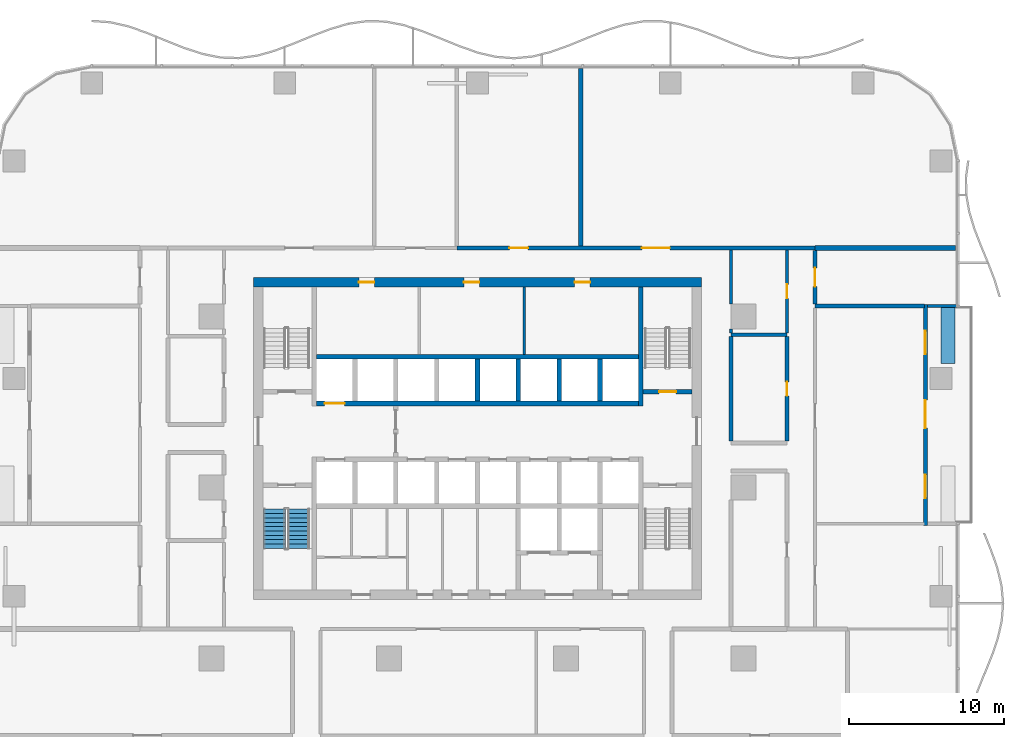
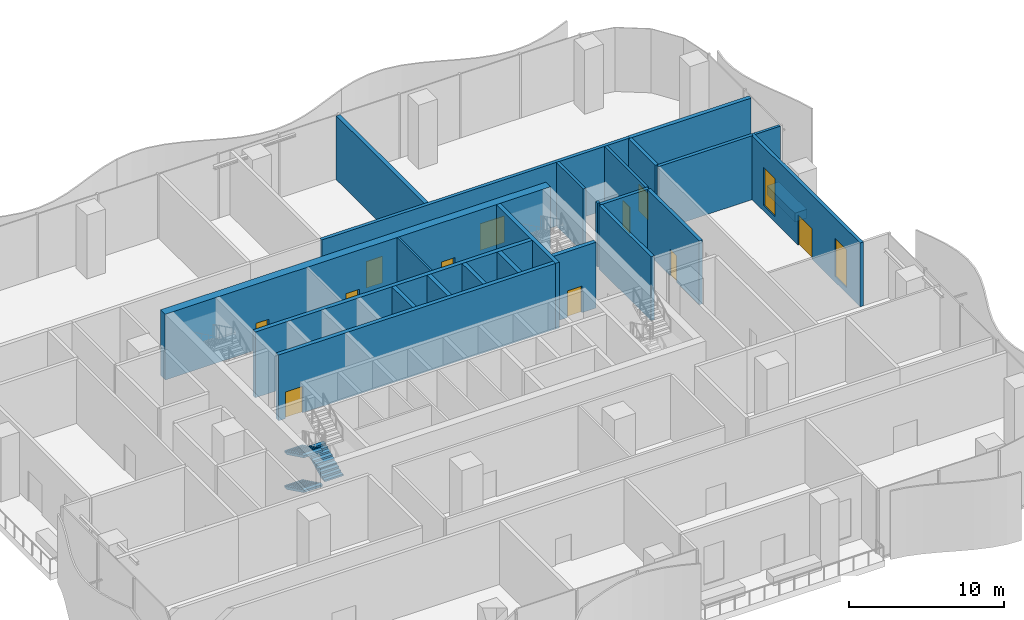
# One storey, part 11 of 20: 24 walls, 11 doors, 3 stair flights, 2 windows, 13 openings, 1 element without a shape of its own.
"""IFC4 building model written with IfcOpenShell, lengths in metres."""

from ifc_helpers import new_model, si_unit, direction, frame, frame_2d, origin, place, context, subcontext, project, spatial, polyline, rectangle, outline, extrude, material, layer, layer_set, type_object, element, fill, aggregate, save


model = new_model("IFC4")

# Units and contexts
model_context = context("Model", 3, precision=1e-05, world=origin(), true_north=direction((0.0, 1.0)))
body_context = subcontext(model_context, "Body", "Model", "MODEL_VIEW")
ifc_project = project(units=[si_unit("LENGTHUNIT", "METRE"), si_unit("AREAUNIT", "SQUARE_METRE"), si_unit("VOLUMEUNIT", "CUBIC_METRE"), si_unit("PLANEANGLEUNIT", "RADIAN"), si_unit("MASSUNIT", "GRAM", prefix="KILO")], contexts=[model_context])

# Site, building, storey
site_placement = place(None, origin())
site = spatial("IfcSite", under=ifc_project, at=site_placement, CompositionType="ELEMENT")
building_placement = place(site_placement, origin())
building = spatial("IfcBuilding", under=site, at=building_placement, Name="Mopane Tessera Tower", CompositionType="ELEMENT")
storey_placement = place(building_placement, frame((0.0, 0.0, 25.5)))
storey = spatial("IfcBuildingStorey", under=building, at=storey_placement, Name="L04", CompositionType="ELEMENT", Elevation=25.5)

# Wall
ifc_material_1 = material(Name="Fire-rated gypsum board partition")
ifc_layer_1 = layer(ifc_material_1, 0.14990234375)
ifc_layer_set_1 = layer_set([ifc_layer_1], Name="Fire-rated gypsum board partition")
wall_type_1 = type_object("IfcWallType", Name="Core room partition 150 mm", PredefinedType="PARTITIONING", material=ifc_layer_set_1)
wall_1_placement = place(storey_placement, frame((3.0, 8.550048828125, 0.0), z_axis=(0.0, 0.0, 1.0), x_axis=(0.0, 1.0, 0.0)))
element("IfcWall", 1, at=wall_1_placement, inside=storey, type_object=wall_type_1, Name="L04 Room partition", PredefinedType="PARTITIONING", context=body_context, shape_type="SweptSolid", body=[
    extrude(rectangle(XDim=4.349853515625, YDim=0.14990234375, at=frame_2d((2.1748046875, 0.0))), origin(), (0.0, 0.0, 1.0), 5.199951171875),
])

# Wall, openings, doors
ifc_material_2 = material(Name="Concrete C70/85", Category="concrete")
ifc_layer_2 = layer(ifc_material_2, 0.60009765625)
ifc_layer_set_2 = layer_set([ifc_layer_2], Name="Concrete C70/85")
wall_type_2 = type_object("IfcWallType", Name="Core shear wall 600 mm", PredefinedType="SHEAR", material=ifc_layer_set_2)
wall_2_placement = place(storey_placement, frame((-14.39990234375, 13.199951171875, 0.0), z_axis=(0.0, 0.0, 1.0), x_axis=(1.0, 0.0, 0.0)))
wall_2 = element("IfcWall", 2, at=wall_2_placement, inside=storey, type_object=wall_type_2, Name="L04 Core wall north", PredefinedType="SHEAR", context=body_context, shape_type="SweptSolid", body=[
    extrude(rectangle(XDim=28.7998046875, YDim=0.60009765625, at=frame_2d((14.39990234375, 0.0))), origin(), (0.0, 0.0, 1.0), 5.199951171875),
])
opening_1_placement = place(wall_2_placement, frame((6.77490234375, 0.0, 0.0)))
opening_1 = element("IfcOpeningElement", 3, at=opening_1_placement, cuts=wall_2, Name="Opening RD1", PredefinedType="OPENING", context=body_context, shape_type="SweptSolid", body=[
    extrude(rectangle(XDim=1.0, YDim=2.10009765625, at=frame_2d((0.5, 1.050048828125))), frame((0.0, 0.31201171875, 0.0), z_axis=(0.0, -1.0, 0.0), x_axis=(1.0, 0.0, 0.0)), (0.0, 0.0, 1.0), 0.6240234375),
])
opening_2_placement = place(wall_2_placement, frame((13.52490234375, 0.0, 0.0)))
opening_2 = element("IfcOpeningElement", 4, at=opening_2_placement, cuts=wall_2, Name="Opening RD1", PredefinedType="OPENING", context=body_context, shape_type="SweptSolid", body=[
    extrude(rectangle(XDim=1.0, YDim=2.10009765625, at=frame_2d((0.5, 1.050048828125))), frame((0.0, 0.31201171875, 0.0), z_axis=(0.0, -1.0, 0.0), x_axis=(1.0, 0.0, 0.0)), (0.0, 0.0, 1.0), 0.6240234375),
])
opening_3_placement = place(wall_2_placement, frame((20.64990234375, 0.0, 0.0)))
opening_3 = element("IfcOpeningElement", 5, at=opening_3_placement, cuts=wall_2, Name="Opening RD1", PredefinedType="OPENING", context=body_context, shape_type="SweptSolid", body=[
    extrude(rectangle(XDim=1.0, YDim=2.10009765625, at=frame_2d((0.5, 1.050048828125))), frame((0.0, 0.31201171875, 0.0), z_axis=(0.0, -1.0, 0.0), x_axis=(1.0, 0.0, 0.0)), (0.0, 0.0, 1.0), 0.6240234375),
])
ifc_material_3 = material(Name="Timber door", Category="wood")
door_type_1 = type_object("IfcDoorType", Name="Core room door 1000 x 2100", OperationType="SINGLE_SWING_LEFT", PredefinedType="DOOR", material=ifc_material_3)
door_1_placement = place(opening_1_placement, origin())
door_1 = element("IfcDoor", 6, at=door_1_placement, inside=storey, type_object=door_type_1, Name="L04 Room door", OperationType="SINGLE_SWING_LEFT", OverallHeight=2.10009765625, OverallWidth=1.0, PredefinedType="DOOR", context=body_context, shape_type="SweptSolid", body=[
    extrude(rectangle(XDim=1.0, YDim=2.10009765625, at=frame_2d((0.5, 1.050048828125))), frame((0.0, 0.02490234375, 0.0), z_axis=(0.0, -1.0, 0.0), x_axis=(1.0, 0.0, 0.0)), (0.0, 0.0, 1.0), 0.050048828125),
])
fill(opening_1, door_1)
door_2_placement = place(opening_2_placement, origin())
door_2 = element("IfcDoor", 7, at=door_2_placement, inside=storey, type_object=door_type_1, Name="L04 Room door", OperationType="SINGLE_SWING_LEFT", OverallHeight=2.10009765625, OverallWidth=1.0, PredefinedType="DOOR", context=body_context, shape_type="SweptSolid", body=[
    extrude(rectangle(XDim=1.0, YDim=2.10009765625, at=frame_2d((0.5, 1.050048828125))), frame((0.0, 0.02490234375, 0.0), z_axis=(0.0, -1.0, 0.0), x_axis=(1.0, 0.0, 0.0)), (0.0, 0.0, 1.0), 0.050048828125),
])
fill(opening_2, door_2)
door_3_placement = place(opening_3_placement, origin())
door_3 = element("IfcDoor", 8, at=door_3_placement, inside=storey, type_object=door_type_1, Name="L04 Room door", OperationType="SINGLE_SWING_LEFT", OverallHeight=2.10009765625, OverallWidth=1.0, PredefinedType="DOOR", context=body_context, shape_type="SweptSolid", body=[
    extrude(rectangle(XDim=1.0, YDim=2.10009765625, at=frame_2d((0.5, 1.050048828125))), frame((0.0, 0.02490234375, 0.0), z_axis=(0.0, -1.0, 0.0), x_axis=(1.0, 0.0, 0.0)), (0.0, 0.0, 1.0), 0.050048828125),
])
fill(opening_3, door_3)

# Walls
ifc_material_4 = material(Name="Concrete C60/75", Category="concrete")
ifc_layer_3 = layer(ifc_material_4, 0.300048828125)
ifc_layer_set_3 = layer_set([ifc_layer_3], Name="Concrete C60/75")
wall_type_3 = type_object("IfcWallType", Name="Core spine wall 300 mm", PredefinedType="SHEAR", material=ifc_layer_set_3)
wall_3_placement = place(storey_placement, frame((10.5, 5.25, 0.0), z_axis=(0.0, 0.0, 1.0), x_axis=(0.0, 1.0, 0.0)))
element("IfcWall", 9, at=wall_3_placement, inside=storey, type_object=wall_type_3, Name="L04 Core spine wall", PredefinedType="SHEAR", context=body_context, shape_type="SweptSolid", body=[
    extrude(rectangle(XDim=7.64990234375, YDim=0.300048828125, at=frame_2d((3.824951171875, 0.0))), origin(), (0.0, 0.0, 1.0), 5.199951171875),
])
ifc_material_5 = material(Name="Gypsum board on steel studs, two layers each face, mineral wool infill", Category="steel")
ifc_layer_4 = layer(ifc_material_5, 0.199951171875)
ifc_layer_set_4 = layer_set([ifc_layer_4], Name="Gypsum board on steel studs, two layers each face, mineral wool infill")
wall_type_4 = type_object("IfcWallType", Name="Gypsum board corridor wall 200, rated EI 60", PredefinedType="PARTITIONING", material=ifc_layer_set_4)
wall_4_placement = place(storey_placement, frame((16.300048828125, 9.93994140625, 0.0), z_axis=(0.0, 0.0, 1.0), x_axis=(0.0, 1.0, 0.0)))
element("IfcWall", 10, at=wall_4_placement, inside=storey, type_object=wall_type_4, Name="Partition L04:055", PredefinedType="PARTITIONING", context=body_context, shape_type="SweptSolid", body=[
    extrude(rectangle(XDim=0.260009765625, YDim=0.199951171875, at=frame_2d((0.1298828125, 0.0))), origin(), (0.0, 0.0, 1.0), 5.050048828125),
])
wall_5_placement = place(storey_placement, frame((16.300048828125, 11.800048828125, 0.0), z_axis=(0.0, 0.0, 1.0), x_axis=(0.0, 1.0, 0.0)))
element("IfcWall", 11, at=wall_5_placement, inside=storey, type_object=wall_type_4, Name="Partition L04:056", PredefinedType="PARTITIONING", context=body_context, shape_type="SweptSolid", body=[
    extrude(rectangle(XDim=3.474853515625, YDim=0.199951171875, at=frame_2d((1.7373046875, 0.0))), origin(), (0.0, 0.0, 1.0), 5.050048828125),
])

# Wall, opening, door
wall_6_placement = place(storey_placement, frame((19.89990234375, 9.93994140625, 0.0), z_axis=(0.0, 0.0, 1.0), x_axis=(0.0, 1.0, 0.0)))
wall_6 = element("IfcWall", 12, at=wall_6_placement, inside=storey, type_object=wall_type_4, Name="Partition L04:059", PredefinedType="PARTITIONING", context=body_context, shape_type="SweptSolid", body=[
    extrude(rectangle(XDim=5.3349609375, YDim=0.199951171875, at=frame_2d((2.66748046875, 0.0))), origin(), (0.0, 0.0, 1.0), 5.050048828125),
])
opening_4_placement = place(wall_6_placement, frame((2.217529296875, 0.0, 0.0)))
opening_4 = element("IfcOpeningElement", 13, at=opening_4_placement, cuts=wall_6, Name="Opening L04-26", PredefinedType="OPENING", context=body_context, shape_type="SweptSolid", body=[
    extrude(rectangle(XDim=0.89990234375, YDim=2.10009765625, at=frame_2d((0.449951171875, 1.050048828125))), frame((0.0, 0.112060546875, 0.0), z_axis=(0.0, -1.0, 0.0), x_axis=(1.0, 0.0, 0.0)), (0.0, 0.0, 1.0), 0.223876953125),
])
ifc_material_6 = material(Name="Timber veneered steel-framed fire door", Category="steel")
door_type_2 = type_object("IfcDoorType", Name="Fire door FD60 900 x 2100", OperationType="SINGLE_SWING_LEFT", PredefinedType="DOOR", material=ifc_material_6)
door_4_placement = place(opening_4_placement, origin())
door_4 = element("IfcDoor", 14, at=door_4_placement, inside=storey, type_object=door_type_2, Name="Door L04-26", ObjectType="D10A", OperationType="SINGLE_SWING_LEFT", OverallHeight=2.10009765625, OverallWidth=0.89990234375, PredefinedType="DOOR", context=body_context, shape_type="SweptSolid", body=[
    extrude(rectangle(XDim=0.89990234375, YDim=2.10009765625, at=frame_2d((0.449951171875, 1.050048828125))), frame((0.0, 0.02490234375, 0.0), z_axis=(0.0, -1.0, 0.0), x_axis=(1.0, 0.0, 0.0)), (0.0, 0.0, 1.0), 0.050048828125),
])
fill(opening_4, door_4)

ifc_material_7 = material(Name="Concrete C50/60", Category="concrete")
ifc_layer_5 = layer(ifc_material_7, 0.300048828125)
ifc_layer_set_5 = layer_set([ifc_layer_5], Name="Concrete C50/60")
wall_type_5 = type_object("IfcWallType", Name="Lift and stair shaft wall 300 mm", PredefinedType="SOLIDWALL", material=ifc_layer_set_5)
wall_7_placement = place(storey_placement, frame((10.64990234375, 6.14990234375, 0.0), z_axis=(0.0, 0.0, 1.0), x_axis=(1.0, 0.0, 0.0)))
wall_7 = element("IfcWall", 15, at=wall_7_placement, inside=storey, type_object=wall_type_5, Name="L04 Stair enclosure wall", PredefinedType="SOLIDWALL", context=body_context, shape_type="SweptSolid", body=[
    extrude(rectangle(XDim=3.150146484375, YDim=0.300048828125, at=frame_2d((1.5751953125, 0.0))), origin(), (0.0, 0.0, 1.0), 5.199951171875),
])
opening_5_placement = place(wall_7_placement, frame((1.02490234375, 0.0, 0.0)))
opening_5 = element("IfcOpeningElement", 16, at=opening_5_placement, cuts=wall_7, Name="Opening SD1", PredefinedType="OPENING", context=body_context, shape_type="SweptSolid", body=[
    extrude(rectangle(XDim=1.10009765625, YDim=2.10009765625, at=frame_2d((0.550048828125, 1.050048828125))), frame((0.0, 0.162109375, 0.0), z_axis=(0.0, -1.0, 0.0), x_axis=(1.0, 0.0, 0.0)), (0.0, 0.0, 1.0), 0.323974609375),
])
ifc_material_8 = material(Name="Steel fire door", Category="steel")
door_type_3 = type_object("IfcDoorType", Name="Stair fire door 1100 x 2100", OperationType="SINGLE_SWING_LEFT", PredefinedType="DOOR", material=ifc_material_8)
door_5_placement = place(opening_5_placement, origin())
door_5 = element("IfcDoor", 17, at=door_5_placement, inside=storey, type_object=door_type_3, Name="L04 Stair door ST4", OperationType="SINGLE_SWING_RIGHT", OverallHeight=2.10009765625, OverallWidth=1.10009765625, PredefinedType="DOOR", context=body_context, shape_type="SweptSolid", body=[
    extrude(rectangle(XDim=1.10009765625, YDim=2.10009765625, at=frame_2d((0.550048828125, 1.050048828125))), frame((0.0, 0.02490234375, 0.0), z_axis=(0.0, -1.0, 0.0), x_axis=(1.0, 0.0, 0.0)), (0.0, 0.0, 1.0), 0.050048828125),
])
fill(opening_5, door_5)

wall_8_placement = place(storey_placement, frame((-10.35009765625, 5.39990234375, 0.0), z_axis=(0.0, 0.0, 1.0), x_axis=(1.0, 0.0, 0.0)))
wall_8 = element("IfcWall", 18, at=wall_8_placement, inside=storey, type_object=wall_type_5, Name="L04 Lift shaft front wall", PredefinedType="SOLIDWALL", context=body_context, shape_type="SweptSolid", body=[
    extrude(rectangle(XDim=20.7001953125, YDim=0.300048828125, at=frame_2d((10.35009765625, 0.0))), origin(), (0.0, 0.0, 1.0), 5.199951171875),
])
opening_6_placement = place(wall_8_placement, frame((0.512451171875, 0.0, 0.0)))
opening_6 = element("IfcOpeningElement", 19, at=opening_6_placement, cuts=wall_8, Name="Opening LD2", PredefinedType="OPENING", context=body_context, shape_type="SweptSolid", body=[
    extrude(rectangle(XDim=1.300048828125, YDim=2.10009765625, at=frame_2d((0.64990234375, 1.050048828125))), frame((0.0, 0.162109375, 0.0), z_axis=(0.0, -1.0, 0.0), x_axis=(1.0, 0.0, 0.0)), (0.0, 0.0, 1.0), 0.323974609375),
])
ifc_material_9 = material(Name="Stainless steel sliding door", Category="steel")
door_type_4 = type_object("IfcDoorType", Name="Fire-fighting lift landing door 1300 x 2100", OperationType="DOUBLE_DOOR_SLIDING", PredefinedType="DOOR", material=ifc_material_9)
door_6_placement = place(opening_6_placement, origin())
door_6 = element("IfcDoor", 20, at=door_6_placement, inside=storey, type_object=door_type_4, Name="L04 Lift landing door FF2", OperationType="DOUBLE_DOOR_SLIDING", OverallHeight=2.10009765625, OverallWidth=1.300048828125, PredefinedType="DOOR", context=body_context, shape_type="SweptSolid", body=[
    extrude(rectangle(XDim=1.300048828125, YDim=2.10009765625, at=frame_2d((0.64990234375, 1.050048828125))), frame((0.0, 0.02490234375, 0.0), z_axis=(0.0, -1.0, 0.0), x_axis=(1.0, 0.0, 0.0)), (0.0, 0.0, 1.0), 0.050048828125),
])
fill(opening_6, door_6)

# Walls
wall_9_placement = place(storey_placement, frame((-10.35009765625, 8.39990234375, 0.0), z_axis=(0.0, 0.0, 1.0), x_axis=(1.0, 0.0, 0.0)))
element("IfcWall", 21, at=wall_9_placement, inside=storey, type_object=wall_type_5, Name="L04 Lift shaft rear wall", PredefinedType="SOLIDWALL", context=body_context, shape_type="SweptSolid", body=[
    extrude(rectangle(XDim=20.7001953125, YDim=0.300048828125, at=frame_2d((10.35009765625, 0.0))), origin(), (0.0, 0.0, 1.0), 5.199951171875),
])
for number, where, z_axis, x_axis, name in (
    (22, (0.0, 5.550048828125, 0.0), (0.0, 0.0, 1.0), (0.0, 1.0, 0.0), "L04 Lift shaft wall"),
    (23, (2.625, 5.550048828125, 0.0), (0.0, 0.0, 1.0), (0.0, 1.0, 0.0), "L04 Lift shaft wall"),
    (24, (5.25, 5.550048828125, 0.0), (0.0, 0.0, 1.0), (0.0, 1.0, 0.0), "L04 Lift shaft wall"),
    (25, (7.875, 5.550048828125, 0.0), (0.0, 0.0, 1.0), (0.0, 1.0, 0.0), "L04 Lift shaft wall"),
):
    element("IfcWall", number, at=place(storey_placement, frame(where, z_axis=z_axis, x_axis=x_axis)), inside=storey, type_object=wall_type_5, Name=name, PredefinedType="SOLIDWALL", context=body_context, shape_type="SweptSolid", body=[
        extrude(rectangle(XDim=2.699951171875, YDim=0.300048828125, at=frame_2d((1.35009765625, 0.0))), origin(), (0.0, 0.0, 1.0), 5.199951171875),
    ])
ifc_material_10 = material(Name="Reinforced concrete C32/40 with waterproofing", Category="concrete")
ifc_layer_6 = layer(ifc_material_10, 0.89990234375)
ifc_layer_set_6 = layer_set([ifc_layer_6], Name="Reinforced concrete C32/40 with waterproofing")
wall_type_6 = type_object("IfcWallType", Name="Planter trough 3600 x 900", PredefinedType="STANDARD", material=ifc_layer_set_6)
wall_10_placement = place(storey_placement, frame((30.25, 7.966552734375, 0.0), z_axis=(0.0, 0.0, 1.0), x_axis=(0.0, 1.0, 0.0)))
element("IfcWall", 26, at=wall_10_placement, inside=storey, type_object=wall_type_6, Name="e:nw:L04:N2:pl1", PredefinedType="STANDARD", context=body_context, shape_type="SweptSolid", body=[
    extrude(rectangle(XDim=3.60009765625, YDim=0.89990234375, at=frame_2d((1.800048828125, 0.0))), origin(), (0.0, 0.0, 1.0), 0.699951171875),
])
ifc_material_11 = material(Name="Plastered concrete blockwork C20/25", Category="masonry")
ifc_layer_7 = layer(ifc_material_11, 0.300048828125)
ifc_layer_set_7 = layer_set([ifc_layer_7], Name="Plastered concrete blockwork C20/25")
wall_type_7 = type_object("IfcWallType", Name="Plastered blockwork separation wall 300, rated EI 120", PredefinedType="PARTITIONING", material=ifc_layer_set_7)
wall_11_placement = place(storey_placement, frame((21.699951171875, 15.39990234375, 0.0), z_axis=(0.0, 0.0, 1.0), x_axis=(1.0, 0.0, 0.0)))
element("IfcWall", 27, at=wall_11_placement, inside=storey, type_object=wall_type_7, Name="Partition L04:030", PredefinedType="PARTITIONING", context=body_context, shape_type="SweptSolid", body=[
    extrude(rectangle(XDim=9.050048828125, YDim=0.300048828125, at=frame_2d((4.52490234375, 0.0))), origin(), (0.0, 0.0, 1.0), 5.050048828125),
])
wall_12_placement = place(storey_placement, frame((6.639892578125, 15.52490234375, 0.0), z_axis=(0.0, 0.0, 1.0), x_axis=(0.0, 1.0, 0.0)))
element("IfcWall", 28, at=wall_12_placement, inside=storey, type_object=wall_type_7, Name="Partition L04:051", PredefinedType="PARTITIONING", context=body_context, shape_type="SweptSolid", body=[
    extrude(rectangle(XDim=11.425048828125, YDim=0.300048828125, at=frame_2d((5.71240234375, 0.0))), origin(), (0.0, 0.0, 1.0), 5.050048828125),
])
ifc_material_12 = material(Name="Plastered concrete blockwork C20/25", Category="masonry")
ifc_layer_8 = layer(ifc_material_12, 0.25)
ifc_layer_set_8 = layer_set([ifc_layer_8], Name="Plastered concrete blockwork C20/25")
wall_type_8 = type_object("IfcWallType", Name="Plastered blockwork wall 250, rated EI 120", PredefinedType="PARTITIONING", material=ifc_layer_set_8)
wall_13_placement = place(storey_placement, frame((16.300048828125, 9.81494140625, 0.0), z_axis=(0.0, 0.0, 1.0), x_axis=(1.0, 0.0, 0.0)))
element("IfcWall", 29, at=wall_13_placement, inside=storey, type_object=wall_type_8, Name="Partition L04:022", PredefinedType="PARTITIONING", context=body_context, shape_type="SweptSolid", body=[
    extrude(rectangle(XDim=3.599853515625, YDim=0.25, at=frame_2d((1.7998046875, 0.0))), origin(), (0.0, 0.0, 1.0), 5.050048828125),
])
wall_14_placement = place(storey_placement, frame((21.699951171875, 11.6650390625, 0.0), z_axis=(0.0, 0.0, 1.0), x_axis=(1.0, 0.0, 0.0)))
element("IfcWall", 30, at=wall_14_placement, inside=storey, type_object=wall_type_8, Name="Partition L04:024", PredefinedType="PARTITIONING", context=body_context, shape_type="SweptSolid", body=[
    extrude(rectangle(XDim=7.050048828125, YDim=0.25, at=frame_2d((3.52490234375, 0.0))), origin(), (0.0, 0.0, 1.0), 5.050048828125),
])

# Wall, openings, doors
wall_15_placement = place(storey_placement, frame((-1.330078125, 15.39990234375, 0.0), z_axis=(0.0, 0.0, 1.0), x_axis=(1.0, 0.0, 0.0)))
wall_15 = element("IfcWall", 31, at=wall_15_placement, inside=storey, type_object=wall_type_8, Name="Partition L04:028", PredefinedType="PARTITIONING", context=body_context, shape_type="SweptSolid", body=[
    extrude(rectangle(XDim=23.030029296875, YDim=0.25, at=frame_2d((11.51513671875, 0.0))), origin(), (0.0, 0.0, 1.0), 5.050048828125),
])
opening_7_placement = place(wall_15_placement, frame((3.385009765625, 0.0, 0.0)))
opening_7 = element("IfcOpeningElement", 32, at=opening_7_placement, cuts=wall_15, Name="Opening L04-11", PredefinedType="OPENING", context=body_context, shape_type="SweptSolid", body=[
    extrude(rectangle(XDim=1.199951171875, YDim=2.10009765625, at=frame_2d((0.60009765625, 1.050048828125))), frame((0.0, 0.136962890625, 0.0), z_axis=(0.0, -1.0, 0.0), x_axis=(1.0, 0.0, 0.0)), (0.0, 0.0, 1.0), 0.27392578125),
])
opening_8_placement = place(wall_15_placement, frame((11.89990234375, 0.0, 0.0)))
opening_8 = element("IfcOpeningElement", 33, at=opening_8_placement, cuts=wall_15, Name="Opening L04-16", PredefinedType="OPENING", context=body_context, shape_type="SweptSolid", body=[
    extrude(rectangle(XDim=1.800048828125, YDim=2.10009765625, at=frame_2d((0.89990234375, 1.050048828125))), frame((0.0, 0.136962890625, 0.0), z_axis=(0.0, -1.0, 0.0), x_axis=(1.0, 0.0, 0.0)), (0.0, 0.0, 1.0), 0.27392578125),
])
ifc_material_13 = material(Name="Timber veneered steel-framed fire door", Category="steel")
door_type_5 = type_object("IfcDoorType", Name="Fire door FD120 1200 x 2100", OperationType="SINGLE_SWING_LEFT", PredefinedType="DOOR", material=ifc_material_13)
door_7_placement = place(opening_7_placement, origin())
door_7 = element("IfcDoor", 34, at=door_7_placement, inside=storey, type_object=door_type_5, Name="Door L04-11", ObjectType="D15B", OperationType="SINGLE_SWING_LEFT", OverallHeight=2.10009765625, OverallWidth=1.199951171875, PredefinedType="DOOR", context=body_context, shape_type="SweptSolid", body=[
    extrude(rectangle(XDim=1.199951171875, YDim=2.10009765625, at=frame_2d((0.60009765625, 1.050048828125))), frame((0.0, 0.02490234375, 0.0), z_axis=(0.0, -1.0, 0.0), x_axis=(1.0, 0.0, 0.0)), (0.0, 0.0, 1.0), 0.050048828125),
])
fill(opening_7, door_7)
ifc_material_14 = material(Name="Timber veneered steel-framed fire door", Category="steel")
door_type_6 = type_object("IfcDoorType", Name="Fire door pair FD120 1800 x 2100", OperationType="DOUBLE_DOOR_SINGLE_SWING", PredefinedType="DOOR", material=ifc_material_14)
door_8_placement = place(opening_8_placement, origin())
door_8 = element("IfcDoor", 35, at=door_8_placement, inside=storey, type_object=door_type_6, Name="Door L04-16", ObjectType="D20B", OperationType="DOUBLE_DOOR_SINGLE_SWING", OverallHeight=2.10009765625, OverallWidth=1.800048828125, PredefinedType="DOOR", context=body_context, shape_type="SweptSolid", body=[
    extrude(rectangle(XDim=1.800048828125, YDim=2.10009765625, at=frame_2d((0.89990234375, 1.050048828125))), frame((0.0, 0.02490234375, 0.0), z_axis=(0.0, -1.0, 0.0), x_axis=(1.0, 0.0, 0.0)), (0.0, 0.0, 1.0), 0.050048828125),
])
fill(opening_8, door_8)

# Wall
wall_16_placement = place(storey_placement, frame((16.300048828125, 2.97509765625, 0.0), z_axis=(0.0, 0.0, 1.0), x_axis=(0.0, 1.0, 0.0)))
element("IfcWall", 36, at=wall_16_placement, inside=storey, type_object=wall_type_8, Name="Partition L04:058", PredefinedType="PARTITIONING", context=body_context, shape_type="SweptSolid", body=[
    extrude(rectangle(XDim=6.71484375, YDim=0.25, at=frame_2d((3.357421875, 0.0))), origin(), (0.0, 0.0, 1.0), 5.050048828125),
])

# Wall, opening, door
wall_17_placement = place(storey_placement, frame((19.89990234375, 2.97509765625, 0.0), z_axis=(0.0, 0.0, 1.0), x_axis=(0.0, 1.0, 0.0)))
wall_17 = element("IfcWall", 37, at=wall_17_placement, inside=storey, type_object=wall_type_8, Name="Partition L04:061", PredefinedType="PARTITIONING", context=body_context, shape_type="SweptSolid", body=[
    extrude(rectangle(XDim=6.71484375, YDim=0.25, at=frame_2d((3.357421875, 0.0))), origin(), (0.0, 0.0, 1.0), 5.050048828125),
])
opening_9_placement = place(wall_17_placement, frame((2.907470703125, 0.0, 0.0)))
opening_9 = element("IfcOpeningElement", 38, at=opening_9_placement, cuts=wall_17, Name="Opening L04-02", PredefinedType="OPENING", context=body_context, shape_type="SweptSolid", body=[
    extrude(rectangle(XDim=0.89990234375, YDim=2.10009765625, at=frame_2d((0.449951171875, 1.050048828125))), frame((0.0, 0.136962890625, 0.0), z_axis=(0.0, -1.0, 0.0), x_axis=(1.0, 0.0, 0.0)), (0.0, 0.0, 1.0), 0.27392578125),
])
ifc_material_15 = material(Name="Timber veneered steel-framed fire door", Category="steel")
door_type_7 = type_object("IfcDoorType", Name="Fire door FD120 900 x 2100", OperationType="SINGLE_SWING_LEFT", PredefinedType="DOOR", material=ifc_material_15)
door_9_placement = place(opening_9_placement, origin())
door_9 = element("IfcDoor", 39, at=door_9_placement, inside=storey, type_object=door_type_7, Name="Door L04-02", ObjectType="D10B", OperationType="SINGLE_SWING_RIGHT", OverallHeight=2.10009765625, OverallWidth=0.89990234375, PredefinedType="DOOR", context=body_context, shape_type="SweptSolid", body=[
    extrude(rectangle(XDim=0.89990234375, YDim=2.10009765625, at=frame_2d((0.449951171875, 1.050048828125))), frame((0.0, 0.02490234375, 0.0), z_axis=(0.0, -1.0, 0.0), x_axis=(1.0, 0.0, 0.0)), (0.0, 0.0, 1.0), 0.050048828125),
])
fill(opening_9, door_9)

wall_18_placement = place(storey_placement, frame((21.699951171875, 11.7900390625, 0.0), z_axis=(0.0, 0.0, 1.0), x_axis=(0.0, 1.0, 0.0)))
wall_18 = element("IfcWall", 40, at=wall_18_placement, inside=storey, type_object=wall_type_8, Name="Partition L04:063", PredefinedType="PARTITIONING", context=body_context, shape_type="SweptSolid", body=[
    extrude(rectangle(XDim=3.4599609375, YDim=0.25, at=frame_2d((1.72998046875, 0.0))), origin(), (0.0, 0.0, 1.0), 5.050048828125),
])
opening_10_placement = place(wall_18_placement, frame((1.1298828125, 0.0, 0.0)))
opening_10 = element("IfcOpeningElement", 41, at=opening_10_placement, cuts=wall_18, Name="Opening L04-08", PredefinedType="OPENING", context=body_context, shape_type="SweptSolid", body=[
    extrude(rectangle(XDim=1.199951171875, YDim=2.10009765625, at=frame_2d((0.60009765625, 1.050048828125))), frame((0.0, 0.136962890625, 0.0), z_axis=(0.0, -1.0, 0.0), x_axis=(1.0, 0.0, 0.0)), (0.0, 0.0, 1.0), 0.27392578125),
])
door_10_placement = place(opening_10_placement, origin())
door_10 = element("IfcDoor", 42, at=door_10_placement, inside=storey, type_object=door_type_5, Name="Door L04-08", ObjectType="D15B", OperationType="SINGLE_SWING_LEFT", OverallHeight=2.10009765625, OverallWidth=1.199951171875, PredefinedType="DOOR", context=body_context, shape_type="SweptSolid", body=[
    extrude(rectangle(XDim=1.199951171875, YDim=2.10009765625, at=frame_2d((0.60009765625, 1.050048828125))), frame((0.0, 0.02490234375, 0.0), z_axis=(0.0, -1.0, 0.0), x_axis=(1.0, 0.0, 0.0)), (0.0, 0.0, 1.0), 0.050048828125),
])
fill(opening_10, door_10)

# Wall
ifc_material_16 = material(Name="Blockwork with glazed tile facing", Category="masonry")
ifc_layer_9 = layer(ifc_material_16, 0.199951171875)
ifc_layer_set_9 = layer_set([ifc_layer_9], Name="Blockwork with glazed tile facing")
wall_type_9 = type_object("IfcWallType", Name="Terrace cheek wall 200", PredefinedType="STANDARD", material=ifc_layer_set_9)
wall_19_placement = place(storey_placement, frame((30.800048828125, 11.666748046875, 0.0), z_axis=(0.0, 0.0, 1.0), x_axis=(-1.0, 0.0, 0.0)))
element("IfcWall", 43, at=wall_19_placement, inside=storey, type_object=wall_type_9, Name="e:nw:L04:N2:cheekb", PredefinedType="STANDARD", context=body_context, shape_type="SweptSolid", body=[
    extrude(rectangle(XDim=1.875, YDim=0.199951171875, at=frame_2d((0.9375, 0.0))), origin(), (0.0, 0.0, 1.0), 5.050048828125),
])

# Wall, openings, windows, door
ifc_material_17 = material(Name="Blockwork with turquoise glazed tile facing", Category="masonry")
ifc_layer_10 = layer(ifc_material_17, 0.25)
ifc_layer_set_10 = layer_set([ifc_layer_10], Name="Blockwork with turquoise glazed tile facing")
wall_type_10 = type_object("IfcWallType", Name="Tile-clad external wall 250, turquoise", PredefinedType="STANDARD", material=ifc_layer_set_10)
wall_20_placement = place(storey_placement, frame((28.800048828125, -2.433349609375, 0.0), z_axis=(0.0, 0.0, 1.0), x_axis=(0.0, 1.0, 0.0)))
wall_20 = element("IfcWall", 44, at=wall_20_placement, inside=storey, type_object=wall_type_10, Name="e:nw:L04:N2:back", PredefinedType="STANDARD", context=body_context, shape_type="SweptSolid", body=[
    extrude(rectangle(XDim=14.199951171875, YDim=0.25, at=frame_2d((7.10009765625, 0.0))), origin(), (0.0, 0.0, 1.0), 5.050048828125),
])
opening_11_placement = place(wall_20_placement, frame((1.75, 0.0, 0.449951171875)))
opening_11 = element("IfcOpeningElement", 45, at=opening_11_placement, cuts=wall_20, Name="Opening NW042A", PredefinedType="OPENING", context=body_context, shape_type="SweptSolid", body=[
    extrude(rectangle(XDim=1.5, YDim=3.0, at=frame_2d((0.75, 1.5))), frame((0.0, 0.136962890625, 0.0), z_axis=(0.0, -1.0, 0.0), x_axis=(1.0, 0.0, 0.0)), (0.0, 0.0, 1.0), 0.27392578125),
])
opening_12_placement = place(wall_20_placement, frame((6.25, 0.0, 0.0)))
opening_12 = element("IfcOpeningElement", 46, at=opening_12_placement, cuts=wall_20, Name="Opening ND042", PredefinedType="OPENING", context=body_context, shape_type="SweptSolid", body=[
    extrude(rectangle(XDim=1.800048828125, YDim=2.39990234375, at=frame_2d((0.89990234375, 1.199951171875))), frame((0.0, 0.136962890625, 0.0), z_axis=(0.0, -1.0, 0.0), x_axis=(1.0, 0.0, 0.0)), (0.0, 0.0, 1.0), 0.27392578125),
])
opening_13_placement = place(wall_20_placement, frame((11.0, 0.0, 0.449951171875)))
opening_13 = element("IfcOpeningElement", 47, at=opening_13_placement, cuts=wall_20, Name="Opening NW042B", PredefinedType="OPENING", context=body_context, shape_type="SweptSolid", body=[
    extrude(rectangle(XDim=1.5, YDim=3.0, at=frame_2d((0.75, 1.5))), frame((0.0, 0.136962890625, 0.0), z_axis=(0.0, -1.0, 0.0), x_axis=(1.0, 0.0, 0.0)), (0.0, 0.0, 1.0), 0.27392578125),
])
ifc_material_18 = material(Name="Clear laminated glass", Category="glass")
window_type = type_object("IfcWindowType", Name="Fixed window 1500 x 3000", PartitioningType="SINGLE_PANEL", PredefinedType="WINDOW", material=ifc_material_18)
window_1_placement = place(opening_11_placement, origin())
window_1 = element("IfcWindow", 48, at=window_1_placement, inside=storey, type_object=window_type, Name="e:nw:L04:N2:win0", OverallHeight=3.0, OverallWidth=1.5, PartitioningType="SINGLE_PANEL", PredefinedType="WINDOW", context=body_context, shape_type="SweptSolid", body=[
    extrude(rectangle(XDim=1.5, YDim=3.0, at=frame_2d((0.75, 1.5))), frame((0.0, 0.030029296875, 0.0), z_axis=(0.0, -1.0, 0.0), x_axis=(1.0, 0.0, 0.0)), (0.0, 0.0, 1.0), 0.06005859375),
])
fill(opening_11, window_1)
window_2_placement = place(opening_13_placement, origin())
window_2 = element("IfcWindow", 49, at=window_2_placement, inside=storey, type_object=window_type, Name="e:nw:L04:N2:win2", OverallHeight=3.0, OverallWidth=1.5, PartitioningType="SINGLE_PANEL", PredefinedType="WINDOW", context=body_context, shape_type="SweptSolid", body=[
    extrude(rectangle(XDim=1.5, YDim=3.0, at=frame_2d((0.75, 1.5))), frame((0.0, 0.030029296875, 0.0), z_axis=(0.0, -1.0, 0.0), x_axis=(1.0, 0.0, 0.0)), (0.0, 0.0, 1.0), 0.06005859375),
])
fill(opening_13, window_2)
ifc_material_19 = material(Name="Aluminium and clear glass", Category="aluminium")
door_type_8 = type_object("IfcDoorType", Name="Terrace double door 1800 x 2400", OperationType="DOUBLE_DOOR_SINGLE_SWING", PredefinedType="DOOR", material=ifc_material_19)
door_11_placement = place(opening_12_placement, origin())
door_11 = element("IfcDoor", 50, at=door_11_placement, inside=storey, type_object=door_type_8, Name="e:nw:L04:N2:door", ObjectType="D1", OperationType="DOUBLE_DOOR_SINGLE_SWING", OverallHeight=2.39990234375, OverallWidth=1.800048828125, PredefinedType="DOOR", context=body_context, shape_type="SweptSolid", body=[
    extrude(rectangle(XDim=1.800048828125, YDim=2.39990234375, at=frame_2d((0.89990234375, 1.199951171875))), frame((0.0, 0.02490234375, 0.0), z_axis=(0.0, -1.0, 0.0), x_axis=(1.0, 0.0, 0.0)), (0.0, 0.0, 1.0), 0.050048828125),
])
fill(opening_12, door_11)

# Stair, stair flights
ifc_material_20 = material(Name="Concrete C50/60", Category="concrete")
stair_type = type_object("IfcStairType", Name="Escape stair 1400 mm, riser 138 mm", PredefinedType="HALF_TURN_STAIR", material=ifc_material_20)
stair_placement = place(storey_placement, origin())
stair = element("IfcStair", 51, at=stair_placement, inside=storey, type_object=stair_type, Name="L04 Escape stair south-west", PredefinedType="HALF_TURN_STAIR")
ifc_material_21 = material(Name="Concrete C50/60", Category="concrete")
stair_flight_type = type_object("IfcStairFlightType", Name="Escape stair flight 1400 mm", PredefinedType="STRAIGHT", material=ifc_material_21)
stair_flight_1_placement = place(storey_placement, frame((-13.050048828125, -1.39990234375, 0.0), z_axis=(0.0, 0.0, 1.0), x_axis=(0.0, -1.0, 0.0)))
stair_flight_1 = element("IfcStairFlight", 52, at=stair_flight_1_placement, type_object=stair_flight_type, Name="ST1 flight 1", NumberOfRisers=10, NumberOfTreads=9, PredefinedType="STRAIGHT", RiserHeight=0.1375, TreadLength=0.28, context=body_context, shape_type="SweptSolid", body=[
    extrude(outline(polyline([(0.0, 0.0), (0.0, 0.137451171875), (0.280029296875, 0.137451171875), (0.280029296875, 0.27490234375), (0.56005859375, 0.27490234375), (0.56005859375, 0.41259765625), (0.840087890625, 0.41259765625), (0.840087890625, 0.550048828125), (1.1201171875, 0.550048828125), (1.1201171875, 0.6875), (1.39990234375, 0.6875), (1.39990234375, 0.824951171875), (1.679931640625, 0.824951171875), (1.679931640625, 0.96240234375), (1.9599609375, 0.96240234375), (1.9599609375, 1.10009765625), (2.239990234375, 1.10009765625), (2.239990234375, 1.237548828125), (2.52001953125, 1.237548828125), (2.52001953125, 1.375), (2.52001953125, 1.070556640625), (0.340087890625, 0.0), (0.0, 0.0)])), frame((0.0, 0.699951171875, 0.0), z_axis=(0.0, -1.0, 0.0), x_axis=(1.0, 0.0, 0.0)), (0.0, 0.0, 1.0), 1.39990234375),
])
stair_flight_2_placement = place(storey_placement, frame((-11.5, -3.919921875, 1.375), z_axis=(0.0, 0.0, 1.0), x_axis=(0.0, 1.0, 0.0)))
stair_flight_2 = element("IfcStairFlight", 53, at=stair_flight_2_placement, type_object=stair_flight_type, Name="ST1 flight 2", NumberOfRisers=10, NumberOfTreads=9, PredefinedType="STRAIGHT", RiserHeight=0.1375, TreadLength=0.28, context=body_context, shape_type="SweptSolid", body=[
    extrude(outline(polyline([(0.0, 0.0), (0.0, 0.137451171875), (0.280029296875, 0.137451171875), (0.280029296875, 0.27490234375), (0.56005859375, 0.27490234375), (0.56005859375, 0.41259765625), (0.840087890625, 0.41259765625), (0.840087890625, 0.550048828125), (1.1201171875, 0.550048828125), (1.1201171875, 0.6875), (1.39990234375, 0.6875), (1.39990234375, 0.824951171875), (1.679931640625, 0.824951171875), (1.679931640625, 0.96240234375), (1.9599609375, 0.96240234375), (1.9599609375, 1.10009765625), (2.239990234375, 1.10009765625), (2.239990234375, 1.237548828125), (2.52001953125, 1.237548828125), (2.52001953125, 1.375), (2.52001953125, 1.070556640625), (0.340087890625, 0.0), (0.0, 0.0)])), frame((0.0, 0.699951171875, 0.0), z_axis=(0.0, -1.0, 0.0), x_axis=(1.0, 0.0, 0.0)), (0.0, 0.0, 1.0), 1.39990234375),
])
stair_flight_3_placement = place(storey_placement, frame((-13.050048828125, -1.39990234375, 2.75), z_axis=(0.0, 0.0, 1.0), x_axis=(0.0, -1.0, 0.0)))
stair_flight_3 = element("IfcStairFlight", 54, at=stair_flight_3_placement, type_object=stair_flight_type, Name="ST1 flight 3", NumberOfRisers=10, NumberOfTreads=9, PredefinedType="STRAIGHT", RiserHeight=0.1375, TreadLength=0.28, context=body_context, shape_type="SweptSolid", body=[
    extrude(outline(polyline([(0.0, 0.0), (0.0, 0.137451171875), (0.280029296875, 0.137451171875), (0.280029296875, 0.27490234375), (0.56005859375, 0.27490234375), (0.56005859375, 0.41259765625), (0.840087890625, 0.41259765625), (0.840087890625, 0.550048828125), (1.1201171875, 0.550048828125), (1.1201171875, 0.6875), (1.39990234375, 0.6875), (1.39990234375, 0.824951171875), (1.679931640625, 0.824951171875), (1.679931640625, 0.96240234375), (1.9599609375, 0.96240234375), (1.9599609375, 1.10009765625), (2.239990234375, 1.10009765625), (2.239990234375, 1.237548828125), (2.52001953125, 1.237548828125), (2.52001953125, 1.375), (2.52001953125, 1.070556640625), (0.340087890625, 0.0), (0.0, 0.0)])), frame((0.0, 0.699951171875, 0.0), z_axis=(0.0, -1.0, 0.0), x_axis=(1.0, 0.0, 0.0)), (0.0, 0.0, 1.0), 1.39990234375),
])
aggregate(stair, [stair_flight_1, stair_flight_2, stair_flight_3])

save(model, "model.ifc")
